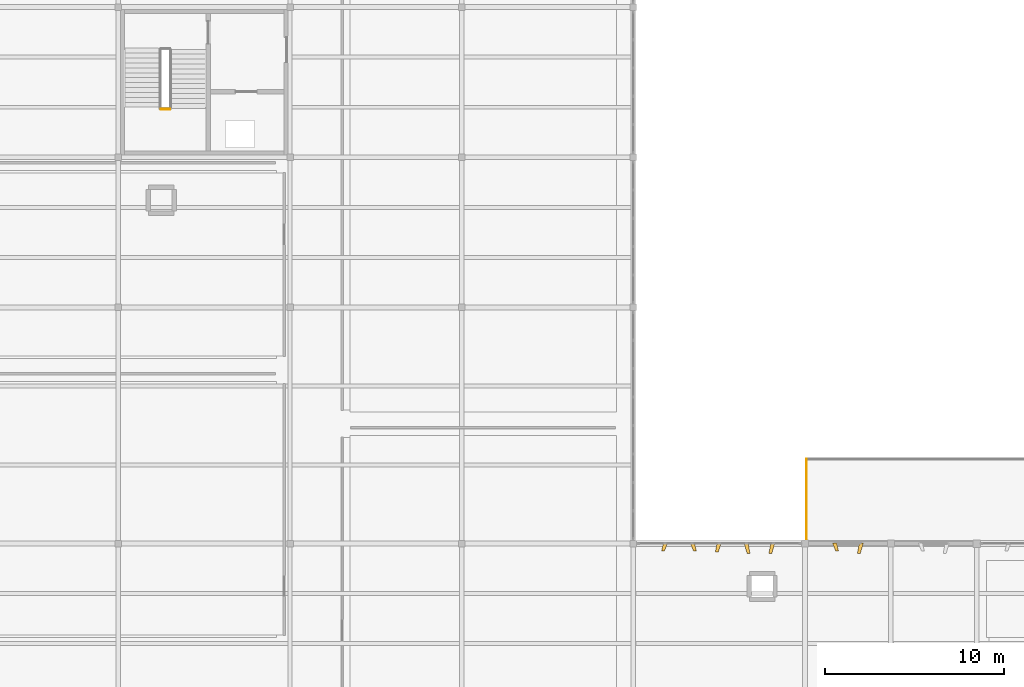
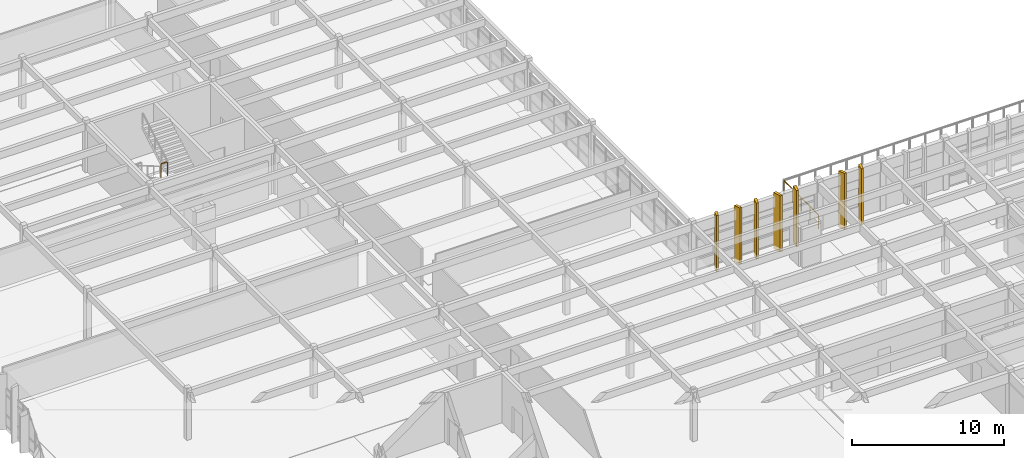
# One storey, part 52 of 61: 7 coverings, 2 railings.
"""IFC4 building model written with IfcOpenShell, lengths in metres."""

from ifc_helpers import new_model, si_unit, direction, frame, origin, origin_2d, place, context, subcontext, project, spatial, polyline, circle, outline, extrude, material, layer, layer_set, type_object, element, save


model = new_model("IFC4")

# Units and contexts
model_context = context("Model", 3, precision=1e-05, world=origin(), true_north=direction((0.0, 1.0)))
body_context = subcontext(model_context, "Body", "Model", "MODEL_VIEW")
ifc_project = project(units=[si_unit("LENGTHUNIT", "METRE"), si_unit("AREAUNIT", "SQUARE_METRE"), si_unit("VOLUMEUNIT", "CUBIC_METRE"), si_unit("PLANEANGLEUNIT", "RADIAN"), si_unit("MASSUNIT", "GRAM", prefix="KILO")], contexts=[model_context])

# Site, building, storey
site_placement = place(None, origin())
site = spatial("IfcSite", under=ifc_project, at=site_placement, CompositionType="ELEMENT")
building_placement = place(site_placement, origin())
building = spatial("IfcBuilding", under=site, at=building_placement, Name="Kolvemor Railside Polytechnic", CompositionType="ELEMENT")
storey_placement = place(building_placement, frame((0.0, 0.0, 10.199951171875)))
storey = spatial("IfcBuildingStorey", under=building, at=storey_placement, Name="L02", CompositionType="ELEMENT", Elevation=10.199951171875)

# Coverings
ifc_material_1 = material(Name="Sea-mist PVDF-anodised marine aluminium 5052-H32", Category="aluminium")
ifc_layer = layer(ifc_material_1, 0.159912109375, Name="COV-FIN-MIST")
ifc_layer_set = layer_set([ifc_layer], Name="Sea-mist PVDF-anodised marine aluminium 5052-H32")
covering_type = type_object("IfcCoveringType", Name="COV-FIN-MIST", PredefinedType="CLADDING", material=ifc_layer_set)
covering_1_placement = place(storey_placement, frame((0.0, 0.0, -0.320068359375)))
element("IfcCovering", 1, at=covering_1_placement, inside=storey, type_object=covering_type, Name="Pleated Solar Fin L02-0485", PredefinedType="CLADDING", context=body_context, shape_type="SweptSolid", body=[
    extrude(outline(polyline([(55.9150390625, 38.43505859375), (55.68505859375, 38.43505859375), (55.580078125, 37.841064453125), (55.739990234375, 37.841064453125), (55.9150390625, 38.43505859375)])), origin(), (0.0, 0.0, 1.0), 4.52001953125),
])
covering_2_placement = place(storey_placement, frame((0.0, 0.0, -0.320068359375)))
element("IfcCovering", 2, at=covering_2_placement, inside=storey, type_object=covering_type, Name="Pleated Solar Fin L02-0486", PredefinedType="CLADDING", context=body_context, shape_type="SweptSolid", body=[
    extrude(outline(polyline([(54.4150390625, 38.43505859375), (54.18505859375, 38.43505859375), (54.360107421875, 37.847900390625), (54.52001953125, 37.847900390625), (54.4150390625, 38.43505859375)])), origin(), (0.0, 0.0, 1.0), 4.52001953125),
])
covering_3_placement = place(storey_placement, frame((0.0, 0.0, -0.320068359375)))
element("IfcCovering", 3, at=covering_3_placement, inside=storey, type_object=covering_type, Name="Pleated Solar Fin L02-0487", PredefinedType="CLADDING", context=body_context, shape_type="SweptSolid", body=[
    extrude(outline(polyline([(52.9150390625, 38.43505859375), (52.68505859375, 38.43505859375), (52.580078125, 37.9150390625), (52.739990234375, 37.9150390625), (52.9150390625, 38.43505859375)])), origin(), (0.0, 0.0, 1.0), 4.52001953125),
])
covering_4_placement = place(storey_placement, frame((0.0, 0.0, -0.320068359375)))
element("IfcCovering", 4, at=covering_4_placement, inside=storey, type_object=covering_type, Name="Pleated Solar Fin L02-0488", PredefinedType="CLADDING", context=body_context, shape_type="SweptSolid", body=[
    extrude(outline(polyline([(51.4150390625, 38.43505859375), (51.18505859375, 38.43505859375), (51.360107421875, 37.98193359375), (51.52001953125, 37.98193359375), (51.4150390625, 38.43505859375)])), origin(), (0.0, 0.0, 1.0), 4.52001953125),
])
covering_5_placement = place(storey_placement, frame((0.0, 0.0, -0.320068359375)))
element("IfcCovering", 5, at=covering_5_placement, inside=storey, type_object=covering_type, Name="Pleated Solar Fin L02-0489", PredefinedType="CLADDING", context=body_context, shape_type="SweptSolid", body=[
    extrude(outline(polyline([(49.9150390625, 38.43505859375), (49.68505859375, 38.43505859375), (49.580078125, 37.989013671875), (49.739990234375, 37.989013671875), (49.9150390625, 38.43505859375)])), origin(), (0.0, 0.0, 1.0), 4.52001953125),
])
covering_6_placement = place(storey_placement, frame((0.0, 0.0, -0.320068359375)))
element("IfcCovering", 6, at=covering_6_placement, inside=storey, type_object=covering_type, Name="Pleated Solar Fin L02-0490", PredefinedType="CLADDING", context=body_context, shape_type="SweptSolid", body=[
    extrude(outline(polyline([(60.864990234375, 38.43505859375), (60.635009765625, 38.43505859375), (60.530029296875, 37.847900390625), (60.68994140625, 37.847900390625), (60.864990234375, 38.43505859375)])), origin(), (0.0, 0.0, 1.0), 4.52001953125),
])
covering_7_placement = place(storey_placement, frame((0.0, 0.0, -0.320068359375)))
element("IfcCovering", 7, at=covering_7_placement, inside=storey, type_object=covering_type, Name="Pleated Solar Fin L02-0491", PredefinedType="CLADDING", context=body_context, shape_type="SweptSolid", body=[
    extrude(outline(polyline([(59.364990234375, 38.43505859375), (59.135009765625, 38.43505859375), (59.31005859375, 37.98193359375), (59.469970703125, 37.98193359375), (59.364990234375, 38.43505859375)])), origin(), (0.0, 0.0, 1.0), 4.52001953125),
])

# Railings
ifc_material_2 = material(Name="AISI 316 marine stainless-steel balustrade guard", Category="steel")
railing_type = type_object("IfcRailingType", Name="RLG-GUARD-1120", PredefinedType="BALUSTRADE", material=ifc_material_2)
railing_1_placement = place(storey_placement, frame((57.679931640625, 43.1201171875, 0.0)))
element("IfcRailing", 8, at=railing_1_placement, inside=storey, type_object=railing_type, Name="Corner Study Terrace L02-N W Guard GR-013", PredefinedType="BALUSTRADE", context=body_context, shape_type="SweptSolid", body=[
    extrude(circle(Radius=0.02392578125, at=origin_2d()), frame((0.0, -0.054931640625, 1.09619140625), z_axis=(0.0, -1.0, 0.0), x_axis=(1.0, 0.0, 0.0)), (0.0, 0.0, 1.0), 4.469970703125),
    extrude(circle(Radius=0.02099609375, at=origin_2d()), origin(), (0.0, 0.0, 1.0), 1.05712890625),
    extrude(circle(Radius=0.02099609375, at=origin_2d()), frame((0.0, -1.14501953125, 0.0)), (0.0, 0.0, 1.0), 1.05712890625),
    extrude(circle(Radius=0.02099609375, at=origin_2d()), frame((0.0, -2.2900390625, 0.0)), (0.0, 0.0, 1.0), 1.05712890625),
    extrude(circle(Radius=0.02099609375, at=origin_2d()), frame((0.0, -3.43505859375, 0.0)), (0.0, 0.0, 1.0), 1.05712890625),
    extrude(circle(Radius=0.02099609375, at=origin_2d()), frame((0.0, -4.580078125, 0.0)), (0.0, 0.0, 1.0), 1.05712890625),
])
railing_2_placement = place(storey_placement, frame((21.580078125, 62.679931640625, 2.10009765625)))
element("IfcRailing", 9, at=railing_2_placement, inside=storey, type_object=railing_type, Name="ST-5 Half-Landing Slot Guard L02", PredefinedType="BALUSTRADE", context=body_context, shape_type="SweptSolid", body=[
    extrude(circle(Radius=0.02392578125, at=origin_2d()), frame((0.054931640625, 0.0, 1.09619140625), z_axis=(1.0, 0.0, 0.0), x_axis=(0.0, 1.0, 0.0)), (0.0, 0.0, 1.0), 0.389892578125),
    extrude(circle(Radius=0.02099609375, at=origin_2d()), origin(), (0.0, 0.0, 1.0), 1.05712890625),
    extrude(circle(Radius=0.02099609375, at=origin_2d()), frame((0.5, 0.0, 0.0)), (0.0, 0.0, 1.0), 1.05712890625),
])

save(model, "model.ifc")
